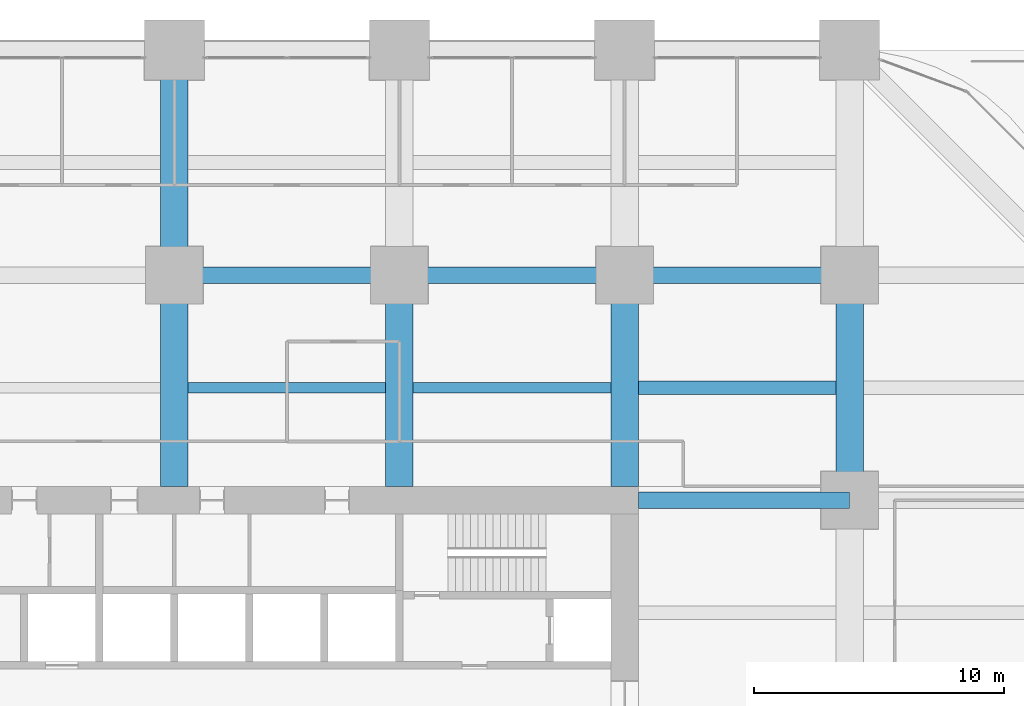
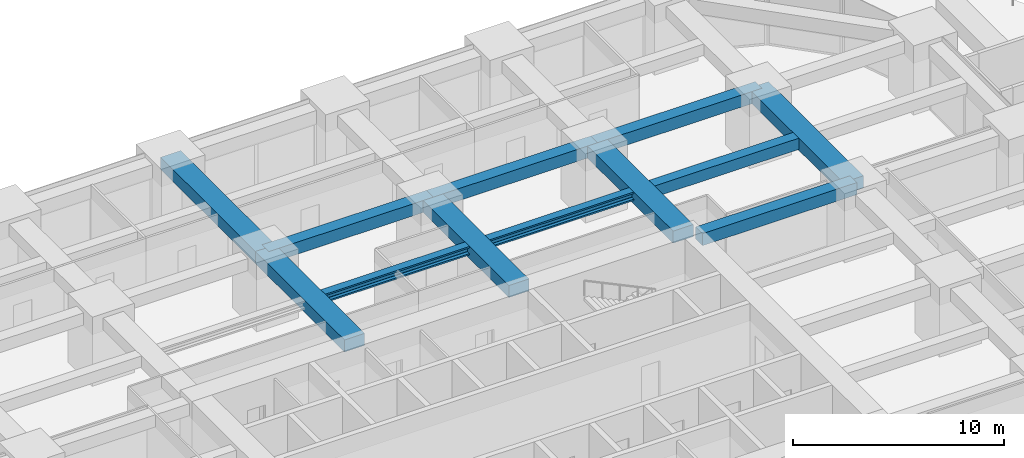
# One storey, part 20 of 38: 12 beams.
"""IFC4 building model written with IfcOpenShell, lengths in metres."""

from ifc_helpers import new_model, si_unit, direction, frame, origin, origin_2d, place, context, subcontext, project, spatial, rectangle, i_section, extrude, material, material_profile, profile_set, type_object, element, save


model = new_model("IFC4")

# Units and contexts
model_context = context("Model", 3, precision=1e-05, world=origin(), true_north=direction((0.0, 1.0)))
body_context = subcontext(model_context, "Body", "Model", "MODEL_VIEW")
ifc_project = project(units=[si_unit("LENGTHUNIT", "METRE"), si_unit("AREAUNIT", "SQUARE_METRE"), si_unit("VOLUMEUNIT", "CUBIC_METRE"), si_unit("PLANEANGLEUNIT", "RADIAN"), si_unit("MASSUNIT", "GRAM", prefix="KILO")], contexts=[model_context])

# Site, building, storey
site_placement = place(None, origin())
site = spatial("IfcSite", under=ifc_project, at=site_placement, CompositionType="ELEMENT")
building_placement = place(site_placement, origin())
building = spatial("IfcBuilding", under=site, at=building_placement, Name="Zorevar Civic Tower", CompositionType="ELEMENT")
storey_placement = place(building_placement, frame((0.0, 0.0, 15.800048828125)))
storey = spatial("IfcBuildingStorey", under=building, at=storey_placement, Name="L03", CompositionType="ELEMENT", Elevation=15.800048828125)

# Beams
ifc_material_1 = material(Name="Concrete C50/60", Category="concrete")
ifc_material_profile_1 = material_profile(ifc_material_1, rectangle(XDim=1.10009765625, YDim=0.699951171875, at=origin_2d()), Name="RC 1100x700")
ifc_profile_set_1 = profile_set([ifc_material_profile_1], Name="Concrete C50/60")
beam_type_1 = type_object("IfcBeamType", Name="Beam RC 1100x700", PredefinedType="BEAM", material=ifc_profile_set_1)
beam_1_placement = place(storey_placement, frame((27.0, 36.550048828125, 3.39990234375), z_axis=(0.0, 1.0, 0.0), x_axis=(-1.0, 0.0, 0.0)))
element("IfcBeam", 1, at=beam_1_placement, inside=storey, type_object=beam_type_1, Name="Girder L04", PredefinedType="BEAM", context=body_context, shape_type="SweptSolid", body=[
    extrude(rectangle(XDim=1.10009765625, YDim=0.699951171875, at=origin_2d()), origin(), (0.0, 0.0, 1.0), 8.449951171875),
])
beam_2_placement = place(storey_placement, frame((27.0, 45.0, 3.39990234375), z_axis=(0.0, 1.0, 0.0), x_axis=(-1.0, 0.0, 0.0)))
element("IfcBeam", 2, at=beam_2_placement, inside=storey, type_object=beam_type_1, Name="Girder L04", PredefinedType="BEAM", context=body_context, shape_type="SweptSolid", body=[
    extrude(rectangle(XDim=1.10009765625, YDim=0.699951171875, at=origin_2d()), origin(), (0.0, 0.0, 1.0), 9.0),
])
for number, where, z_axis, x_axis, name in (
    (3, (36.0, 36.550048828125, 3.39990234375), (0.0, 1.0, 0.0), (-1.0, 0.0, 0.0), "Girder L04"),
    (4, (45.0, 36.550048828125, 3.39990234375), (0.0, 1.0, 0.0), (-1.0, 0.0, 0.0), "Girder L04"),
):
    element("IfcBeam", number, at=place(storey_placement, frame(where, z_axis=z_axis, x_axis=x_axis)), inside=storey, type_object=beam_type_1, Name=name, PredefinedType="BEAM", context=body_context, shape_type="SweptSolid", body=[
        extrude(rectangle(XDim=1.10009765625, YDim=0.699951171875, at=origin_2d()), origin(), (0.0, 0.0, 1.0), 8.449951171875),
    ])
beam_3_placement = place(storey_placement, frame((54.0, 36.0, 3.39990234375), z_axis=(0.0, 1.0, 0.0), x_axis=(-1.0, 0.0, 0.0)))
element("IfcBeam", 5, at=beam_3_placement, inside=storey, type_object=beam_type_1, Name="Girder L04", PredefinedType="BEAM", context=body_context, shape_type="SweptSolid", body=[
    extrude(rectangle(XDim=1.10009765625, YDim=0.699951171875, at=origin_2d()), origin(), (0.0, 0.0, 1.0), 9.0),
])
ifc_material_2 = material(Name="Concrete C50/60", Category="concrete")
ifc_material_profile_2 = material_profile(ifc_material_2, rectangle(XDim=0.550048828125, YDim=0.64990234375, at=origin_2d()), Name="RC 550x650")
ifc_profile_set_2 = profile_set([ifc_material_profile_2], Name="Concrete C50/60")
beam_type_2 = type_object("IfcBeamType", Name="Beam RC 550x650", PredefinedType="BEAM", material=ifc_profile_set_2)
beam_4_placement = place(storey_placement, frame((45.550048828125, 40.5, 3.425048828125), z_axis=(1.0, 0.0, 0.0), x_axis=(0.0, 1.0, 0.0)))
element("IfcBeam", 6, at=beam_4_placement, inside=storey, type_object=beam_type_2, Name="Secondary beam L04", PredefinedType="BEAM", context=body_context, shape_type="SweptSolid", body=[
    extrude(rectangle(XDim=0.550048828125, YDim=0.64990234375, at=origin_2d()), origin(), (0.0, 0.0, 1.0), 7.89990234375),
])
ifc_material_3 = material(Name="Concrete C50/60", Category="concrete")
ifc_material_profile_3 = material_profile(ifc_material_3, rectangle(XDim=0.64990234375, YDim=0.699951171875, at=origin_2d()), Name="RC 650x700")
ifc_profile_set_3 = profile_set([ifc_material_profile_3], Name="Concrete C50/60")
beam_type_3 = type_object("IfcBeamType", Name="Beam RC 650x700", PredefinedType="BEAM", material=ifc_profile_set_3)
beam_5_placement = place(storey_placement, frame((45.550048828125, 36.0, 3.39990234375), z_axis=(1.0, 0.0, 0.0), x_axis=(0.0, 1.0, 0.0)))
element("IfcBeam", 7, at=beam_5_placement, inside=storey, type_object=beam_type_3, Name="Girder L04", PredefinedType="BEAM", context=body_context, shape_type="SweptSolid", body=[
    extrude(rectangle(XDim=0.64990234375, YDim=0.699951171875, at=origin_2d()), origin(), (0.0, 0.0, 1.0), 8.449951171875),
])
for number, where, z_axis, x_axis, name in (
    (8, (27.0, 45.0, 3.39990234375), (1.0, 0.0, 0.0), (0.0, 1.0, 0.0), "Girder L04"),
    (9, (36.0, 45.0, 3.39990234375), (1.0, 0.0, 0.0), (0.0, 1.0, 0.0), "Girder L04"),
    (10, (45.0, 45.0, 3.39990234375), (1.0, 0.0, 0.0), (0.0, 1.0, 0.0), "Girder L04"),
):
    element("IfcBeam", number, at=place(storey_placement, frame(where, z_axis=z_axis, x_axis=x_axis)), inside=storey, type_object=beam_type_3, Name=name, PredefinedType="BEAM", context=body_context, shape_type="SweptSolid", body=[
        extrude(rectangle(XDim=0.64990234375, YDim=0.699951171875, at=origin_2d()), origin(), (0.0, 0.0, 1.0), 9.0),
    ])
ifc_material_4 = material(Name="Steel S460M (HISTAR 460)", Category="steel")
ifc_material_profile_4 = material_profile(ifc_material_4, i_section(OverallWidth=0.431884765625, OverallDepth=0.498046875, WebThickness=0.0556640625, FlangeThickness=0.0888671875, FilletRadius=0.014892578125, at=origin_2d()), Name="HD 400x744")
ifc_profile_set_4 = profile_set([ifc_material_profile_4], Name="Steel S460M (HISTAR 460)")
beam_type_4 = type_object("IfcBeamType", Name="Core bay beam HD 400x744", PredefinedType="BEAM", material=ifc_profile_set_4)
for number, where, z_axis, x_axis, name in (
    (11, (27.550048828125, 40.5, 3.5009765625), (1.0, 0.0, 0.0), (0.0, 1.0, 0.0), "Secondary beam L04"),
    (12, (36.550048828125, 40.5, 3.5009765625), (1.0, 0.0, 0.0), (0.0, 1.0, 0.0), "Secondary beam L04"),
):
    element("IfcBeam", number, at=place(storey_placement, frame(where, z_axis=z_axis, x_axis=x_axis)), inside=storey, type_object=beam_type_4, Name=name, PredefinedType="BEAM", context=body_context, shape_type="SweptSolid", body=[
        extrude(i_section(OverallWidth=0.431884765625, OverallDepth=0.498046875, WebThickness=0.0556640625, FlangeThickness=0.0888671875, FilletRadius=0.014892578125, at=origin_2d()), origin(), (0.0, 0.0, 1.0), 7.89990234375),
    ])

save(model, "model.ifc")
